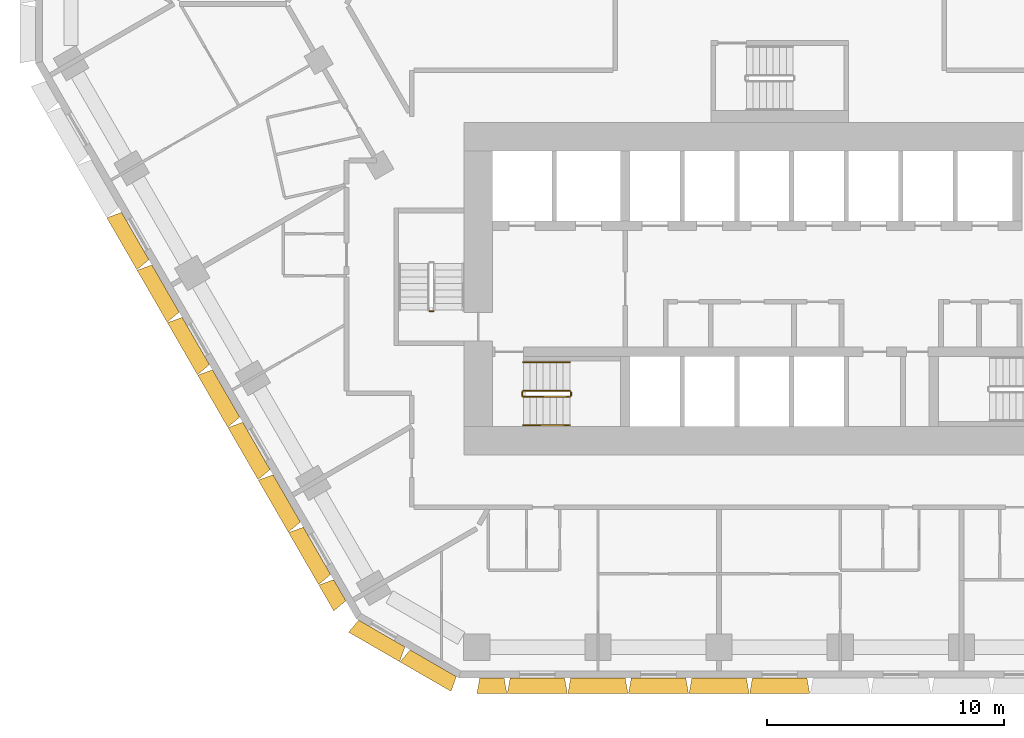
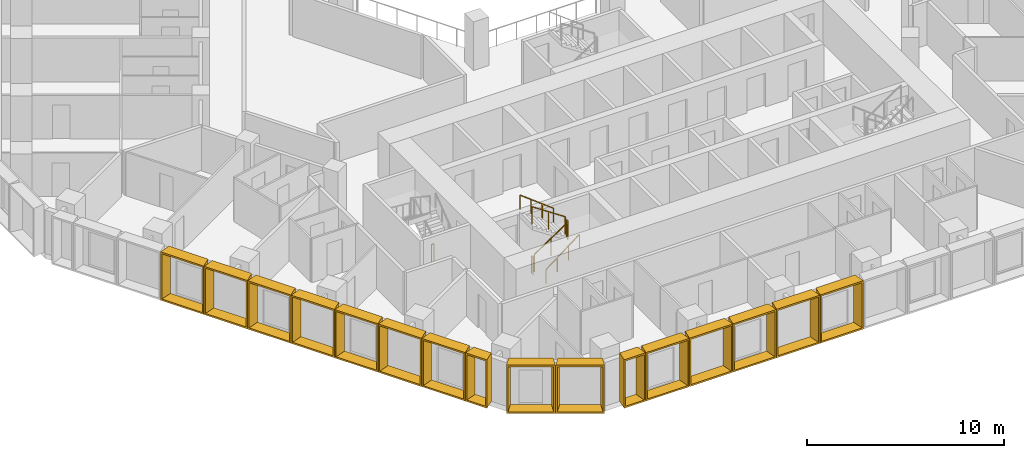
# One storey, part 13 of 16: 16 shading devices, 7 railings.
"""IFC4 building model written with IfcOpenShell, lengths in metres."""

import ifcopenshell
import ifcopenshell.guid

model = None  # the IFC model being written
_history = None  # IfcOwnerHistory: only IFC2X3 demands one
_inside = {}  # id of a spatial element -> (the spatial element, [elements in it])
_under = {}  # id of a project, library or spatial element -> (it, [spatial elements below it])
_declared = {}  # id of a project -> (the project, [libraries it declares])
_typed = {}  # id of a type object -> (the type object, [elements of that type])
_made_of = {}  # id of a material, layer set ... -> (it, [elements and type objects made of it])


def new_model(schema):
    """Start an empty IFC model of exactly this schema.

    Asked for "IFC4X3", IfcOpenShell would pick the latest addendum, in which some entities
    have other attributes; the version numbers below select the first issue.
    IFC2X3 requires an IfcOwnerHistory on every rooted entity: one is made here for all.
    """
    global model, _history
    if schema == "IFC4X3":
        model = ifcopenshell.file(schema_version=(4, 3, 0, 0))
    else:
        model = ifcopenshell.file(schema=schema)
    _inside.clear()
    _under.clear()
    _declared.clear()
    _typed.clear()
    _made_of.clear()
    _history = None
    if model.schema == "IFC2X3":
        org = make("IfcOrganization", Name="unknown")
        user = make(
            "IfcPersonAndOrganization",
            ThePerson=make("IfcPerson", FamilyName="unknown"),
            TheOrganization=org,
        )
        app = make(
            "IfcApplication",
            ApplicationDeveloper=org,
            Version="unknown",
            ApplicationFullName="unknown",
            ApplicationIdentifier="unknown",
        )
        _history = make(
            "IfcOwnerHistory",
            OwningUser=user,
            OwningApplication=app,
            ChangeAction="ADDED",
            CreationDate=0,
        )
    return model


def make(cls, **values):
    """One entity of the class cls with the attributes given. An attribute that is None is left unset."""
    return model.create_entity(
        cls, **{name: value for name, value in values.items() if value is not None}
    )


def entity(cls, *values):
    """Any entity or typed value of the class cls, its attributes in the order of the schema. None: left unset."""
    e = model.create_entity(cls)
    for i, value in enumerate(values):
        if value is not None:
            e[i] = value
    return e


def rooted(cls, **values):
    """An entity with a GlobalId (a new one), such as an element, a storey or a relation."""
    return make(cls, GlobalId=ifcopenshell.guid.new(), OwnerHistory=_history, **values)


def si_unit(unit_type, name, prefix=None):
    """IfcSIUnit, for example si_unit("LENGTHUNIT", "METRE", prefix="MILLI")."""
    return make("IfcSIUnit", UnitType=unit_type, Prefix=prefix, Name=name)


def assignment(units):
    """IfcUnitAssignment: the units of a project."""
    return None if units is None else make("IfcUnitAssignment", Units=units)


def point(xyz):
    """IfcCartesianPoint."""
    return None if xyz is None else make("IfcCartesianPoint", Coordinates=xyz)


def direction(xyz):
    """IfcDirection."""
    return None if xyz is None else make("IfcDirection", DirectionRatios=xyz)


def frame(location, z_axis=None, x_axis=None):
    """IfcAxis2Placement3D, a coordinate frame: its origin and axes. An axis left out is left unset."""
    return make(
        "IfcAxis2Placement3D",
        Location=point(location),
        Axis=direction(z_axis),
        RefDirection=direction(x_axis),
    )


def frame_2d(location, x_axis=None):
    """IfcAxis2Placement2D, a coordinate frame in the plane: its origin and x axis."""
    return make(
        "IfcAxis2Placement2D", Location=point(location), RefDirection=direction(x_axis)
    )


def origin():
    """The frame at (0, 0, 0) with its axes left unset."""
    return frame((0.0, 0.0, 0.0))


def origin_2d():
    """The frame at (0, 0) in the plane with its x axis left unset."""
    return frame_2d((0.0, 0.0))


def place(relative_to, where):
    """IfcLocalPlacement: puts the frame where relative to a parent placement (None: the world)."""
    return make(
        "IfcLocalPlacement", PlacementRelTo=relative_to, RelativePlacement=where
    )


def context(
    kind, dimensions, precision=None, world=None, true_north=None, identifier=None
):
    """IfcGeometricRepresentationContext, for example the 3D "Model" context."""
    return make(
        "IfcGeometricRepresentationContext",
        ContextIdentifier=identifier,
        ContextType=kind,
        CoordinateSpaceDimension=dimensions,
        Precision=precision,
        WorldCoordinateSystem=world,
        TrueNorth=true_north,
    )


def subcontext(parent, identifier, kind, view, scale=None):
    """IfcGeometricRepresentationSubContext, for example "Body" below "Model"."""
    return make(
        "IfcGeometricRepresentationSubContext",
        ContextIdentifier=identifier,
        ContextType=kind,
        ParentContext=parent,
        TargetScale=scale,
        TargetView=view,
    )


def project(units=None, contexts=None):
    """IfcProject with its units and contexts."""
    return rooted(
        "IfcProject",
        Name="project",
        RepresentationContexts=contexts,
        UnitsInContext=assignment(units),
    )


def spatial(cls, under=None, at=None, **own):
    """A site, building, storey or space (cls), placed at a placement, below another one or the project."""
    s = rooted(cls, ObjectPlacement=at, **own)
    if under is not None:
        _under.setdefault(under.id(), (under, []))[1].append(s)
    return s


def profile(cls, at=None, kind="AREA", **sizes):
    """A parametric profile (cls). Its sizes go by their IFC names, for example OverallWidth=200.0."""
    return make(cls, ProfileType=kind, Position=at, **sizes)


def rectangle(**sizes):
    """IfcRectangleProfileDef."""
    return profile("IfcRectangleProfileDef", **sizes)


def extrude(swept, where, along, depth):
    """IfcExtrudedAreaSolid: the profile swept, set in the frame where, extruded along a direction by depth."""
    return make(
        "IfcExtrudedAreaSolid",
        SweptArea=swept,
        Position=where,
        ExtrudedDirection=direction(along),
        Depth=depth,
    )


def shape(context_of_items, identifier, shape_type, items):
    """IfcShapeRepresentation: the items that make up one representation, for example the "Body"."""
    return make(
        "IfcShapeRepresentation",
        ContextOfItems=context_of_items,
        RepresentationIdentifier=identifier,
        RepresentationType=shape_type,
        Items=items,
    )


def source(mapping_origin, context_of_items, identifier, shape_type, items):
    """IfcRepresentationMap: a shape defined once, which mapped items show again and again."""
    return make(
        "IfcRepresentationMap",
        MappingOrigin=mapping_origin,
        MappedRepresentation=shape(context_of_items, identifier, shape_type, items),
    )


def transform(
    local_origin,
    x_axis=None,
    y_axis=None,
    z_axis=None,
    scale=None,
    scale2=None,
    scale3=None,
    uniform=True,
):
    """IfcCartesianTransformationOperator3D, or its non-uniform kind. x_axis, y_axis, z_axis: its Axis1, 2, 3."""
    if uniform:
        return make(
            "IfcCartesianTransformationOperator3D",
            Axis1=direction(x_axis),
            Axis2=direction(y_axis),
            LocalOrigin=point(local_origin),
            Scale=scale,
            Axis3=direction(z_axis),
        )
    return make(
        "IfcCartesianTransformationOperator3DnonUniform",
        Axis1=direction(x_axis),
        Axis2=direction(y_axis),
        LocalOrigin=point(local_origin),
        Scale=scale,
        Axis3=direction(z_axis),
        Scale2=scale2,
        Scale3=scale3,
    )


def mapped(mapping_source, mapping_target):
    """IfcMappedItem: shows the shape of a source again, moved by a transform."""
    return make(
        "IfcMappedItem", MappingSource=mapping_source, MappingTarget=mapping_target
    )


def material(Name=None, Category=None):
    """IfcMaterial."""
    return make("IfcMaterial", Name=Name, Category=Category)


def made_of(thing, what):
    """Note that an element or type object is made of a material, layer set ...; save() writes the relation."""
    if what is not None:
        _made_of.setdefault(what.id(), (what, []))[1].append(thing)
    return thing


def type_object(cls, material=None, **own):
    """A type object (cls), such as IfcWallType, which elements share."""
    return made_of(rooted(cls, **own), material)


def type_shapes(of_type, sources):
    """Give a type object the sources (RepresentationMaps) that its elements show as mapped items."""
    of_type.RepresentationMaps = sources


def element(
    cls,
    number,
    at=None,
    inside=None,
    cuts=None,
    type_object=None,
    material=None,
    context=None,
    identifier="Body",
    shape_type=None,
    held_by="IfcProductDefinitionShape",
    body=None,
    shapes=None,
    **own,
):
    """One element of the class cls, such as IfcWall. Its Tag is "e" and its number.

    at: its placement. inside: the storey or other place that contains it. cuts: it is an
    opening in that element (IfcRelVoidsElement). A single representation is given by context,
    identifier, shape_type and body (its items); several are given by shapes. held_by: the class
    of the entity that holds the representations. save() writes the other relations.
    """
    e = rooted(cls, Tag="e%d" % number, ObjectPlacement=at, **own)
    if body is not None:
        shapes = [shape(context, identifier, shape_type, body)]
    if shapes is not None:
        e.Representation = make(held_by, Representations=shapes)
    if inside is not None:
        _inside.setdefault(inside.id(), (inside, []))[1].append(e)
    if cuts is not None:
        rooted(
            "IfcRelVoidsElement", RelatingBuildingElement=cuts, RelatedOpeningElement=e
        )
    if type_object is not None:
        _typed.setdefault(type_object.id(), (type_object, []))[1].append(e)
    return made_of(e, material)


def aggregate(whole, parts):
    """IfcRelAggregates: a whole, such as a stair, and the parts it consists of."""
    return rooted("IfcRelAggregates", RelatingObject=whole, RelatedObjects=parts)


def save(model, path):
    """Write the relations noted so far, then the file.

    IfcRelAggregates (storeys below a building ...), IfcRelContainedInSpatialStructure (elements
    in a storey), IfcRelDefinesByType, IfcRelAssociatesMaterial and IfcRelDeclares: one each for
    every whole, place, type object, material and project.
    """
    for whole, parts in _under.values():
        aggregate(whole, parts)
    for where, things in _inside.values():
        rooted(
            "IfcRelContainedInSpatialStructure",
            RelatedElements=things,
            RelatingStructure=where,
        )
    for kind, things in _typed.values():
        rooted("IfcRelDefinesByType", RelatedObjects=things, RelatingType=kind)
    for what, things in _made_of.values():
        rooted("IfcRelAssociatesMaterial", RelatedObjects=things, RelatingMaterial=what)
    for by, libraries in _declared.values():
        rooted("IfcRelDeclares", RelatingContext=by, RelatedDefinitions=libraries)
    model.write(path)


model = new_model("IFC4")

# Units and contexts
model_context = context("Model", 3, precision=1e-05, world=origin(), true_north=direction((0.0, 1.0)))
body_context = subcontext(model_context, "Body", "Model", "MODEL_VIEW")
ifc_project = project(units=[si_unit("LENGTHUNIT", "METRE"), si_unit("AREAUNIT", "SQUARE_METRE"), si_unit("VOLUMEUNIT", "CUBIC_METRE"), si_unit("PLANEANGLEUNIT", "RADIAN"), si_unit("MASSUNIT", "GRAM", prefix="KILO")], contexts=[model_context])

# Site, building, storey
site_placement = place(None, origin())
site = spatial("IfcSite", under=ifc_project, at=site_placement, CompositionType="ELEMENT")
building_placement = place(site_placement, origin())
building = spatial("IfcBuilding", under=site, at=building_placement, Name="Beryl Residences", CompositionType="ELEMENT")
storey_placement = place(building_placement, frame((0.0, 0.0, 56.39990234375)))
storey = spatial("IfcBuildingStorey", under=building, at=storey_placement, Name="L17", CompositionType="ELEMENT", Elevation=56.39990234375)

# Shading devices
ifc_material_1 = material(Name="Aluminium pale anodised", Category="aluminium")
shading_device_type_1 = type_object("IfcShadingDeviceType", Name="FR128-65A OUTER SKIN frame 650 mm deep, splay 10/10 deg, 1280 x 3000 mm cell", PredefinedType="USERDEFINED", material=ifc_material_1)
cartesian_point_1 = entity("IfcCartesianPoint", [-0.514892578125, 0.0])
cartesian_point_2 = entity("IfcCartesianPoint", [-0.433837890625, 0.10009765625])
cartesian_point_3 = entity("IfcCartesianPoint", [-0.629638671875, 0.0])
cartesian_point_4 = entity("IfcCartesianPoint", [-0.54833984375, 0.10009765625])
shared_shape_1 = source(origin(), body_context, "Body", "SweptSolid", [
    entity("IfcExtrudedAreaSolidTapered", entity("IfcArbitraryProfileDefWithVoids", "AREA", None, entity("IfcPolyline", [cartesian_point_1, entity("IfcCartesianPoint", [0.514892578125, 0.0]), entity("IfcCartesianPoint", [0.514892578125, 3.0]), entity("IfcCartesianPoint", [-0.514892578125, 3.0]), cartesian_point_1]), [entity("IfcPolyline", [cartesian_point_2, entity("IfcCartesianPoint", [0.433837890625, 0.10009765625]), entity("IfcCartesianPoint", [0.433837890625, 2.89990234375]), entity("IfcCartesianPoint", [-0.433837890625, 2.89990234375]), cartesian_point_2])]), entity("IfcAxis2Placement3D", entity("IfcCartesianPoint", [0.0, 0.0, 0.0]), entity("IfcDirection", [0.0, 1.0, 0.0]), entity("IfcDirection", [-1.0, 0.0, 0.0])), entity("IfcDirection", [0.0, 0.0, 1.0]), 0.64990234375, entity("IfcArbitraryProfileDefWithVoids", "AREA", None, entity("IfcPolyline", [cartesian_point_3, entity("IfcCartesianPoint", [0.629638671875, 0.0]), entity("IfcCartesianPoint", [0.629638671875, 3.0]), entity("IfcCartesianPoint", [-0.629638671875, 3.0]), cartesian_point_3]), [entity("IfcPolyline", [cartesian_point_4, entity("IfcCartesianPoint", [0.54833984375, 0.10009765625]), entity("IfcCartesianPoint", [0.54833984375, 2.89990234375]), entity("IfcCartesianPoint", [-0.54833984375, 2.89990234375]), cartesian_point_4])])),
])
type_shapes(shading_device_type_1, [shared_shape_1])
for number, where, z_axis, x_axis, name in (
    (1, (-18.533935546875, -24.698974609375, 0.0), (0.0, 0.0, 1.0), (-0.5, 0.866025403784, 0.0), "FR128-65A frame L17 SW 11"),
    (2, (-12.12109375, -28.39990234375, 0.0), (0.0, 0.0, 1.0), (-1.0, 0.0, 0.0), "FR128-65A frame L17 S 1"),
):
    element("IfcShadingDevice", number, at=place(storey_placement, frame(where, z_axis=z_axis, x_axis=x_axis)), inside=storey, type_object=shading_device_type_1, Name=name, ObjectType="OUTER SKIN", PredefinedType="USERDEFINED", context=body_context, shape_type="MappedRepresentation", body=[
        mapped(shared_shape_1, transform((0.0, 0.0, 0.0))),
    ])
ifc_material_2 = material(Name="Aluminium pale anodised", Category="aluminium")
shading_device_type_2 = type_object("IfcShadingDeviceType", Name="FR250-65A OUTER SKIN frame 650 mm deep, splay 10/10 deg, 2500 x 3000 mm cell", PredefinedType="USERDEFINED", material=ifc_material_2)
cartesian_point_5 = entity("IfcCartesianPoint", [-1.125, 0.0])
cartesian_point_6 = entity("IfcCartesianPoint", [-1.043701171875, 0.10009765625])
cartesian_point_7 = entity("IfcCartesianPoint", [-1.239501953125, 0.0])
cartesian_point_8 = entity("IfcCartesianPoint", [-1.158447265625, 0.10009765625])
shared_shape_2 = source(origin(), body_context, "Body", "SweptSolid", [
    entity("IfcExtrudedAreaSolidTapered", entity("IfcArbitraryProfileDefWithVoids", "AREA", None, entity("IfcPolyline", [cartesian_point_5, entity("IfcCartesianPoint", [1.125, 0.0]), entity("IfcCartesianPoint", [1.125, 3.0]), entity("IfcCartesianPoint", [-1.125, 3.0]), cartesian_point_5]), [entity("IfcPolyline", [cartesian_point_6, entity("IfcCartesianPoint", [1.043701171875, 0.10009765625]), entity("IfcCartesianPoint", [1.043701171875, 2.89990234375]), entity("IfcCartesianPoint", [-1.043701171875, 2.89990234375]), cartesian_point_6])]), entity("IfcAxis2Placement3D", entity("IfcCartesianPoint", [0.0, 0.0, 0.0]), entity("IfcDirection", [0.0, 1.0, 0.0]), entity("IfcDirection", [-1.0, 0.0, 0.0])), entity("IfcDirection", [0.0, 0.0, 1.0]), 0.64990234375, entity("IfcArbitraryProfileDefWithVoids", "AREA", None, entity("IfcPolyline", [cartesian_point_7, entity("IfcCartesianPoint", [1.239501953125, 0.0]), entity("IfcCartesianPoint", [1.239501953125, 3.0]), entity("IfcCartesianPoint", [-1.239501953125, 3.0]), cartesian_point_7]), [entity("IfcPolyline", [cartesian_point_8, entity("IfcCartesianPoint", [1.158447265625, 0.10009765625]), entity("IfcCartesianPoint", [1.158447265625, 2.89990234375]), entity("IfcCartesianPoint", [-1.158447265625, 2.89990234375]), cartesian_point_8])])),
])
type_shapes(shading_device_type_2, [shared_shape_2])
for number, where, z_axis, x_axis, name in (
    (3, (-16.758056640625, -26.52490234375, 0.0), (0.0, 0.0, 1.0), (-0.866025403784, 0.5, 0.0), "FR250-65A frame L17 SW-S 1"),
    (4, (-14.593017578125, -27.77490234375, 0.0), (0.0, 0.0, 1.0), (-0.866025403784, 0.5, 0.0), "FR250-65A frame L17 SW-S 2"),
):
    element("IfcShadingDevice", number, at=place(storey_placement, frame(where, z_axis=z_axis, x_axis=x_axis)), inside=storey, type_object=shading_device_type_2, Name=name, ObjectType="OUTER SKIN", PredefinedType="USERDEFINED", context=body_context, shape_type="MappedRepresentation", body=[
        mapped(shared_shape_2, transform((0.0, 0.0, 0.0))),
    ])
ifc_material_3 = material(Name="Aluminium pale anodised", Category="aluminium")
shading_device_type_3 = type_object("IfcShadingDeviceType", Name="FR255-65A OUTER SKIN frame 650 mm deep, splay 10/10 deg, 2550 x 3000 mm cell", PredefinedType="USERDEFINED", material=ifc_material_3)
cartesian_point_9 = entity("IfcCartesianPoint", [-1.14990234375, 0.0])
cartesian_point_10 = entity("IfcCartesianPoint", [-1.06884765625, 0.10009765625])
cartesian_point_11 = entity("IfcCartesianPoint", [-1.2646484375, 0.0])
cartesian_point_12 = entity("IfcCartesianPoint", [-1.183349609375, 0.10009765625])
shared_shape_3 = source(origin(), body_context, "Body", "SweptSolid", [
    entity("IfcExtrudedAreaSolidTapered", entity("IfcArbitraryProfileDefWithVoids", "AREA", None, entity("IfcPolyline", [cartesian_point_9, entity("IfcCartesianPoint", [1.14990234375, 0.0]), entity("IfcCartesianPoint", [1.14990234375, 3.0]), entity("IfcCartesianPoint", [-1.14990234375, 3.0]), cartesian_point_9]), [entity("IfcPolyline", [cartesian_point_10, entity("IfcCartesianPoint", [1.06884765625, 0.10009765625]), entity("IfcCartesianPoint", [1.06884765625, 2.89990234375]), entity("IfcCartesianPoint", [-1.06884765625, 2.89990234375]), cartesian_point_10])]), entity("IfcAxis2Placement3D", entity("IfcCartesianPoint", [0.0, 0.0, 0.0]), entity("IfcDirection", [0.0, 1.0, 0.0]), entity("IfcDirection", [-1.0, 0.0, 0.0])), entity("IfcDirection", [0.0, 0.0, 1.0]), 0.64990234375, entity("IfcArbitraryProfileDefWithVoids", "AREA", None, entity("IfcPolyline", [cartesian_point_11, entity("IfcCartesianPoint", [1.2646484375, 0.0]), entity("IfcCartesianPoint", [1.2646484375, 3.0]), entity("IfcCartesianPoint", [-1.2646484375, 3.0]), cartesian_point_11]), [entity("IfcPolyline", [cartesian_point_12, entity("IfcCartesianPoint", [1.183349609375, 0.10009765625]), entity("IfcCartesianPoint", [1.183349609375, 2.89990234375]), entity("IfcCartesianPoint", [-1.183349609375, 2.89990234375]), cartesian_point_12])])),
])
type_shapes(shading_device_type_3, [shared_shape_3])
for number, where, z_axis, x_axis, name in (
    (5, (-27.14599609375, -9.781005859375, 0.0), (0.0, 0.0, 1.0), (-0.5, 0.866025403784, 0.0), "FR255-65A frame L17 SW 4"),
    (6, (-25.8701171875, -11.990966796875, 0.0), (0.0, 0.0, 1.0), (-0.5, 0.866025403784, 0.0), "FR255-65A frame L17 SW 5"),
    (7, (-24.594970703125, -14.200927734375, 0.0), (0.0, 0.0, 1.0), (-0.5, 0.866025403784, 0.0), "FR255-65A frame L17 SW 6"),
    (8, (-23.319091796875, -16.410888671875, 0.0), (0.0, 0.0, 1.0), (-0.5, 0.866025403784, 0.0), "FR255-65A frame L17 SW 7"),
    (9, (-22.04296875, -18.62109375, 0.0), (0.0, 0.0, 1.0), (-0.5, 0.866025403784, 0.0), "FR255-65A frame L17 SW 8"),
    (10, (-20.76708984375, -20.8310546875, 0.0), (0.0, 0.0, 1.0), (-0.5, 0.866025403784, 0.0), "FR255-65A frame L17 SW 9"),
    (11, (-19.490966796875, -23.041015625, 0.0), (0.0, 0.0, 1.0), (-0.5, 0.866025403784, 0.0), "FR255-65A frame L17 SW 10"),
    (12, (-10.20703125, -28.39990234375, 0.0), (0.0, 0.0, 1.0), (-1.0, 0.0, 0.0), "FR255-65A frame L17 S 2"),
    (13, (-7.655029296875, -28.39990234375, 0.0), (0.0, 0.0, 1.0), (-1.0, 0.0, 0.0), "FR255-65A frame L17 S 3"),
    (14, (-5.10302734375, -28.39990234375, 0.0), (0.0, 0.0, 1.0), (-1.0, 0.0, 0.0), "FR255-65A frame L17 S 4"),
    (15, (-2.551025390625, -28.39990234375, 0.0), (0.0, 0.0, 1.0), (-1.0, 0.0, 0.0), "FR255-65A frame L17 S 5"),
    (16, (0.0009765625, -28.39990234375, 0.0), (0.0, 0.0, 1.0), (-1.0, 0.0, 0.0), "FR255-65A frame L17 S 6"),
):
    element("IfcShadingDevice", number, at=place(storey_placement, frame(where, z_axis=z_axis, x_axis=x_axis)), inside=storey, type_object=shading_device_type_3, Name=name, ObjectType="OUTER SKIN", PredefinedType="USERDEFINED", context=body_context, shape_type="MappedRepresentation", body=[
        mapped(shared_shape_3, transform((0.0, 0.0, 0.0))),
    ])

# Railings
ifc_material_4 = material(Name="Stainless steel balustrade with glass infill", Category="steel")
railing_type_1 = type_object("IfcRailingType", Name="SG1 stair guard 1100 mm", PredefinedType="GUARDRAIL", material=ifc_material_4)
railing_1_placement = place(storey_placement, frame((-10.800048828125, -16.550048828125, 0.1875)))
element("IfcRailing", 17, at=railing_1_placement, inside=storey, type_object=railing_type_1, Name="L17 ST-1 stair guard 1", PredefinedType="GUARDRAIL", context=body_context, shape_type="SweptSolid", body=[
    extrude(rectangle(XDim=0.048095703125, YDim=0.048095703125, at=origin_2d()), frame((0.0, 0.0, 1.076171875), z_axis=(0.830902050051, 0.0, 0.556418712142), x_axis=(0.0, 1.0, 0.0)), (0.0, 0.0, 1.0), 2.35888671875),
    extrude(rectangle(XDim=0.0419921875, YDim=0.0419921875, at=origin_2d()), origin(), (0.0, 0.0, 1.0), 1.052001953125),
    extrude(rectangle(XDim=0.0419921875, YDim=0.0419921875, at=origin_2d()), frame((0.97998046875, 0.0, 0.65625)), (0.0, 0.0, 1.0), 1.052001953125),
    extrude(rectangle(XDim=0.0419921875, YDim=0.0419921875, at=origin_2d()), frame((1.9599609375, 0.0, 1.3125)), (0.0, 0.0, 1.0), 1.052001953125),
])
railing_2_placement = place(storey_placement, frame((-8.7900390625, -16.5, 1.5)))
element("IfcRailing", 18, at=railing_2_placement, inside=storey, type_object=railing_type_1, Name="L17 ST-1 stair guard 2", PredefinedType="GUARDRAIL", context=body_context, shape_type="SweptSolid", body=[
    extrude(rectangle(XDim=0.048095703125, YDim=0.048095703125, at=origin_2d()), frame((0.0, 0.0, 1.076171875), z_axis=(0.0, 1.0, 0.0), x_axis=(-1.0, 0.0, 0.0)), (0.0, 0.0, 1.0), 0.14990234375),
    extrude(rectangle(XDim=0.0419921875, YDim=0.0419921875, at=origin_2d()), origin(), (0.0, 0.0, 1.0), 1.052001953125),
    extrude(rectangle(XDim=0.0419921875, YDim=0.0419921875, at=origin_2d()), frame((0.0, 0.14990234375, 0.0)), (0.0, 0.0, 1.0), 1.052001953125),
])
railing_3_placement = place(storey_placement, frame((-8.840087890625, -16.300048828125, 1.6875)))
element("IfcRailing", 19, at=railing_3_placement, inside=storey, type_object=railing_type_1, Name="L17 ST-1 stair guard 3", PredefinedType="GUARDRAIL", context=body_context, shape_type="SweptSolid", body=[
    extrude(rectangle(XDim=0.048095703125, YDim=0.048095703125, at=origin_2d()), frame((0.0, 0.0, 1.076171875), z_axis=(-0.830902050051, 0.0, 0.556418712142), x_axis=(0.0, -1.0, 0.0)), (0.0, 0.0, 1.0), 2.35888671875),
    extrude(rectangle(XDim=0.0419921875, YDim=0.0419921875, at=origin_2d()), origin(), (0.0, 0.0, 1.0), 1.052001953125),
    extrude(rectangle(XDim=0.0419921875, YDim=0.0419921875, at=origin_2d()), frame((-0.97998046875, 0.0, 0.65625)), (0.0, 0.0, 1.0), 1.052001953125),
    extrude(rectangle(XDim=0.0419921875, YDim=0.0419921875, at=origin_2d()), frame((-1.9599609375, 0.0, 1.3125)), (0.0, 0.0, 1.0), 1.052001953125),
])
railing_4_placement = place(storey_placement, frame((-10.85009765625, -16.5, 0.0)))
element("IfcRailing", 20, at=railing_4_placement, inside=storey, type_object=railing_type_1, Name="L17 ST-1 stair guard 4", PredefinedType="GUARDRAIL", context=body_context, shape_type="SweptSolid", body=[
    extrude(rectangle(XDim=0.048095703125, YDim=0.048095703125, at=origin_2d()), frame((0.0, 0.0, 1.076171875), z_axis=(0.0, 1.0, 0.0), x_axis=(-1.0, 0.0, 0.0)), (0.0, 0.0, 1.0), 0.14990234375),
    extrude(rectangle(XDim=0.0419921875, YDim=0.0419921875, at=origin_2d()), origin(), (0.0, 0.0, 1.0), 1.052001953125),
    extrude(rectangle(XDim=0.0419921875, YDim=0.0419921875, at=origin_2d()), frame((0.0, 0.14990234375, 0.0)), (0.0, 0.0, 1.0), 1.052001953125),
])
railing_5_placement = place(storey_placement, frame((-14.60009765625, -12.949951171875, 0.0)))
element("IfcRailing", 21, at=railing_5_placement, inside=storey, type_object=railing_type_1, Name="L17 ST-2 stair guard 4", PredefinedType="GUARDRAIL", context=body_context, shape_type="SweptSolid", body=[
    extrude(rectangle(XDim=0.048095703125, YDim=0.048095703125, at=origin_2d()), frame((0.0, 0.0, 1.076171875), z_axis=(-1.0, 0.0, 0.0), x_axis=(0.0, -1.0, 0.0)), (0.0, 0.0, 1.0), 0.14990234375),
    extrude(rectangle(XDim=0.0419921875, YDim=0.0419921875, at=origin_2d()), origin(), (0.0, 0.0, 1.0), 1.052001953125),
    extrude(rectangle(XDim=0.0419921875, YDim=0.0419921875, at=origin_2d()), frame((-0.14990234375, 0.0, 0.0)), (0.0, 0.0, 1.0), 1.052001953125),
])
ifc_material_5 = material(Name="Stainless steel handrail", Category="steel")
railing_type_2 = type_object("IfcRailingType", Name="SRL1 stair handrail 900 mm", PredefinedType="HANDRAIL", material=ifc_material_5)
railing_6_placement = place(storey_placement, frame((-10.800048828125, -17.75, 0.1875)))
element("IfcRailing", 22, at=railing_6_placement, inside=storey, type_object=railing_type_2, Name="L17 ST-1 stair handrail 1", PredefinedType="HANDRAIL", context=body_context, shape_type="SweptSolid", body=[
    extrude(rectangle(XDim=0.048095703125, YDim=0.048095703125, at=origin_2d()), frame((0.0, 0.0, 0.8759765625), z_axis=(0.794121922505, 0.0, 0.607758481798), x_axis=(0.0, 1.0, 0.0)), (0.0, 0.0, 1.0), 2.468017578125),
    extrude(rectangle(XDim=0.0419921875, YDim=0.0419921875, at=origin_2d()), origin(), (0.0, 0.0, 1.0), 0.851806640625),
    extrude(rectangle(XDim=0.0419921875, YDim=0.0419921875, at=origin_2d()), frame((0.6533203125, 0.0, 0.5)), (0.0, 0.0, 1.0), 0.851806640625),
    extrude(rectangle(XDim=0.0419921875, YDim=0.0419921875, at=origin_2d()), frame((1.306640625, 0.0, 1.0)), (0.0, 0.0, 1.0), 0.851806640625),
    extrude(rectangle(XDim=0.0419921875, YDim=0.0419921875, at=origin_2d()), frame((1.9599609375, 0.0, 1.5)), (0.0, 0.0, 1.0), 0.851806640625),
])
railing_7_placement = place(storey_placement, frame((-8.840087890625, -15.10009765625, 1.6875)))
element("IfcRailing", 23, at=railing_7_placement, inside=storey, type_object=railing_type_2, Name="L17 ST-1 stair handrail 2", PredefinedType="HANDRAIL", context=body_context, shape_type="SweptSolid", body=[
    extrude(rectangle(XDim=0.048095703125, YDim=0.048095703125, at=origin_2d()), frame((0.0, 0.0, 0.8759765625), z_axis=(-0.794121922505, 0.0, 0.607758481798), x_axis=(0.0, -1.0, 0.0)), (0.0, 0.0, 1.0), 2.468017578125),
    extrude(rectangle(XDim=0.0419921875, YDim=0.0419921875, at=origin_2d()), origin(), (0.0, 0.0, 1.0), 0.851806640625),
    extrude(rectangle(XDim=0.0419921875, YDim=0.0419921875, at=origin_2d()), frame((-0.6533203125, 0.0, 0.5)), (0.0, 0.0, 1.0), 0.851806640625),
    extrude(rectangle(XDim=0.0419921875, YDim=0.0419921875, at=origin_2d()), frame((-1.306640625, 0.0, 1.0)), (0.0, 0.0, 1.0), 0.851806640625),
    extrude(rectangle(XDim=0.0419921875, YDim=0.0419921875, at=origin_2d()), frame((-1.9599609375, 0.0, 1.5)), (0.0, 0.0, 1.0), 0.851806640625),
])

save(model, "model.ifc")
